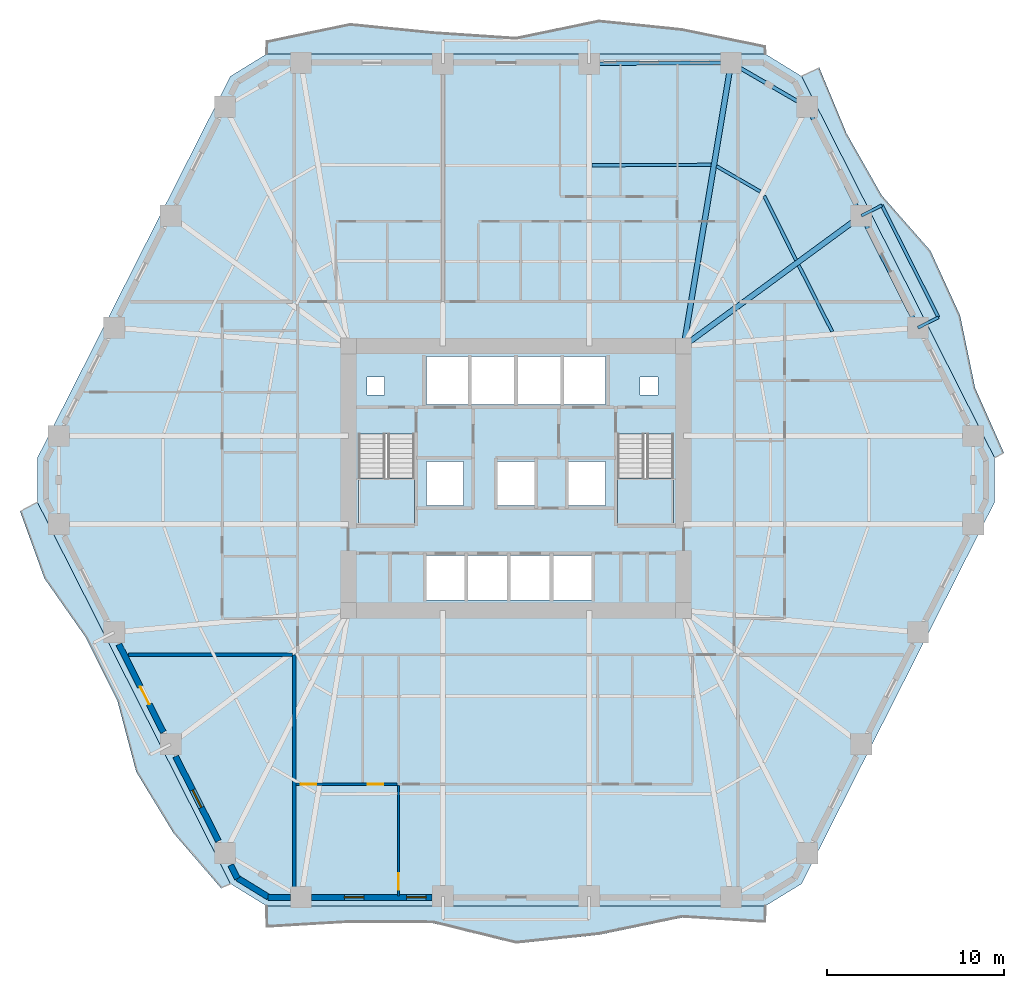
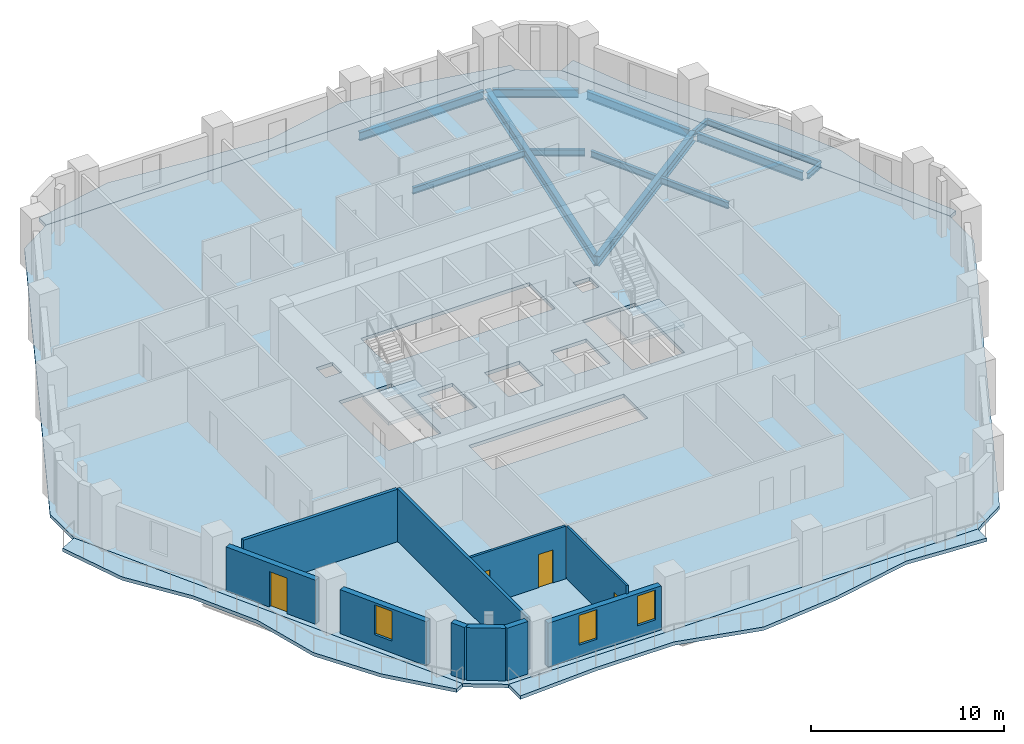
# One storey, part 3 of 11: 13 beams, 10 walls, 7 slabs, 4 doors, 3 windows, 7 openings, 2 elements without a shape of their own.
"""IFC4 building model written with IfcOpenShell, lengths in metres."""

from ifc_helpers import new_model, si_unit, direction, frame, frame_2d, origin, origin_2d, place, context, subcontext, project, spatial, polyline, rectangle, i_section, outline, extrude, material, layer, layer_set, material_profile, profile_set, type_object, element, fill, aggregate, save


model = new_model("IFC4")

# Units and contexts
model_context = context("Model", 3, precision=1e-05, world=origin(), true_north=direction((0.0, 1.0)))
body_context = subcontext(model_context, "Body", "Model", "MODEL_VIEW")
ifc_project = project(units=[si_unit("LENGTHUNIT", "METRE"), si_unit("AREAUNIT", "SQUARE_METRE"), si_unit("VOLUMEUNIT", "CUBIC_METRE"), si_unit("PLANEANGLEUNIT", "RADIAN"), si_unit("MASSUNIT", "GRAM", prefix="KILO")], contexts=[model_context])

# Site, building, storey
site_placement = place(None, origin())
site = spatial("IfcSite", under=ifc_project, at=site_placement, CompositionType="ELEMENT")
building_placement = place(site_placement, origin())
building = spatial("IfcBuilding", under=site, at=building_placement, Name="Cinnabar Lancet Tower", CompositionType="ELEMENT")
storey_placement = place(building_placement, frame((0.0, 0.0, 46.199951171875)))
storey = spatial("IfcBuildingStorey", under=building, at=storey_placement, Name="L11", CompositionType="ELEMENT", Elevation=46.199951171875)

# Beams
ifc_material_1 = material(Name="Structural steel S355", Category="steel")
ifc_material_profile_1 = material_profile(ifc_material_1, i_section(OverallWidth=0.177978515625, OverallDepth=0.406494140625, WebThickness=0.0078125, FlangeThickness=0.0126953125, FilletRadius=0.01025390625, at=origin_2d()), Name="UKB 406x178x60")
ifc_profile_set_1 = profile_set([ifc_material_profile_1], Name="Structural steel S355")
beam_type_1 = type_object("IfcBeamType", Name="STR-BM-JST-406", PredefinedType="JOIST", material=ifc_profile_set_1)
beam_1_placement = place(storey_placement, frame((50.220947265625, 34.156982421875, -0.4228515625), z_axis=(-0.450834254961, 0.89260768233, 0.0), x_axis=(-0.89260768233, -0.450834254961, 0.0)))
element("IfcBeam", 1, at=beam_1_placement, inside=storey, type_object=beam_type_1, Name="L11 Secondary Floor Joist 27", PredefinedType="JOIST", context=body_context, shape_type="SweptSolid", body=[
    extrude(i_section(OverallWidth=0.177978515625, OverallDepth=0.406494140625, WebThickness=0.0078125, FlangeThickness=0.0126953125, FilletRadius=0.01025390625, at=origin_2d()), origin(), (0.0, 0.0, 1.0), 4.203369140625),
])
beam_2_placement = place(storey_placement, frame((48.18603515625, 38.18798828125, -0.4228515625), z_axis=(-0.445738672706, 0.895163133543, 0.0), x_axis=(-0.895163133543, -0.445738672706, 0.0)))
element("IfcBeam", 2, at=beam_2_placement, inside=storey, type_object=beam_type_1, Name="L11 Secondary Floor Joist 29", PredefinedType="JOIST", context=body_context, shape_type="SweptSolid", body=[
    extrude(i_section(OverallWidth=0.177978515625, OverallDepth=0.406494140625, WebThickness=0.0078125, FlangeThickness=0.0126953125, FilletRadius=0.01025390625, at=origin_2d()), origin(), (0.0, 0.0, 1.0), 4.04052734375),
])
beam_3_placement = place(storey_placement, frame((46.1669921875, 42.052001953125, -0.4228515625), z_axis=(-0.865113631149, 0.50157592167, 0.0), x_axis=(-0.50157592167, -0.865113631149, 0.0)))
element("IfcBeam", 3, at=beam_3_placement, inside=storey, type_object=beam_type_1, Name="L11 Secondary Floor Joist 31", PredefinedType="JOIST", context=body_context, shape_type="SweptSolid", body=[
    extrude(i_section(OverallWidth=0.177978515625, OverallDepth=0.406494140625, WebThickness=0.0078125, FlangeThickness=0.0126953125, FilletRadius=0.01025390625, at=origin_2d()), origin(), (0.0, 0.0, 1.0), 2.852783203125),
])
beam_4_placement = place(storey_placement, frame((43.40087890625, 43.56396484375, -0.4228515625), z_axis=(-0.999988691118, -0.004755800274, 0.0), x_axis=(0.004755800274, -0.999988691118, 0.0)))
element("IfcBeam", 4, at=beam_4_placement, inside=storey, type_object=beam_type_1, Name="L11 Secondary Floor Joist 33", PredefinedType="JOIST", context=body_context, shape_type="SweptSolid", body=[
    extrude(i_section(OverallWidth=0.177978515625, OverallDepth=0.406494140625, WebThickness=0.0078125, FlangeThickness=0.0126953125, FilletRadius=0.01025390625, at=origin_2d()), origin(), (0.0, 0.0, 1.0), 6.724853515625),
])
ifc_material_2 = material(Name="Structural steel S355", Category="steel")
ifc_material_profile_2 = material_profile(ifc_material_2, i_section(OverallWidth=0.209228515625, OverallDepth=0.533203125, WebThickness=0.010009765625, FlangeThickness=0.015625, FilletRadius=0.0126953125, at=origin_2d()), Name="UKB 533x210x92")
ifc_profile_set_2 = profile_set([ifc_material_profile_2], Name="Structural steel S355")
beam_type_2 = type_object("IfcBeamType", Name="STR-BM-SPN-533", PredefinedType="SPANDREL", material=ifc_profile_set_2)
beam_5_placement = place(storey_placement, frame((54.93310546875, 34.60302734375, -0.487060546875), z_axis=(-0.450703143926, 0.892673891214, 0.0), x_axis=(-0.892673891214, -0.450703143926, 0.0)))
element("IfcBeam", 5, at=beam_5_placement, inside=storey, type_object=beam_type_2, Name="L11 Perimeter Spandrel 10", PredefinedType="SPANDREL", context=body_context, shape_type="SweptSolid", body=[
    extrude(i_section(OverallWidth=0.209228515625, OverallDepth=0.533203125, WebThickness=0.010009765625, FlangeThickness=0.015625, FilletRadius=0.0126953125, at=origin_2d()), origin(), (0.0, 0.0, 1.0), 6.570068359375),
])
beam_6_placement = place(storey_placement, frame((51.748046875, 40.9150390625, -0.487060546875), z_axis=(-0.445953050023, 0.89505635419, 0.0), x_axis=(-0.89505635419, -0.445953050023, 0.0)))
element("IfcBeam", 6, at=beam_6_placement, inside=storey, type_object=beam_type_2, Name="L11 Perimeter Spandrel 11", PredefinedType="SPANDREL", context=body_context, shape_type="SweptSolid", body=[
    extrude(i_section(OverallWidth=0.209228515625, OverallDepth=0.533203125, WebThickness=0.010009765625, FlangeThickness=0.015625, FilletRadius=0.0126953125, at=origin_2d()), origin(), (0.0, 0.0, 1.0), 6.35498046875),
])
beam_7_placement = place(storey_placement, frame((48.5869140625, 46.951904296875, -0.487060546875), z_axis=(-0.865147238596, 0.501517951374, 0.0), x_axis=(-0.501517951374, -0.865147238596, 0.0)))
element("IfcBeam", 7, at=beam_7_placement, inside=storey, type_object=beam_type_2, Name="L11 Perimeter Spandrel 12", PredefinedType="SPANDREL", context=body_context, shape_type="SweptSolid", body=[
    extrude(i_section(OverallWidth=0.209228515625, OverallDepth=0.533203125, WebThickness=0.010009765625, FlangeThickness=0.015625, FilletRadius=0.0126953125, at=origin_2d()), origin(), (0.0, 0.0, 1.0), 4.454833984375),
])
beam_8_placement = place(storey_placement, frame((44.26708984375, 49.30908203125, -0.487060546875), z_axis=(-0.99997856757, -0.006547090947, 0.0), x_axis=(0.006547090947, -0.99997856757, 0.0)))
element("IfcBeam", 8, at=beam_8_placement, inside=storey, type_object=beam_type_2, Name="L11 Perimeter Spandrel 13", PredefinedType="SPANDREL", context=body_context, shape_type="SweptSolid", body=[
    extrude(i_section(OverallWidth=0.209228515625, OverallDepth=0.533203125, WebThickness=0.010009765625, FlangeThickness=0.015625, FilletRadius=0.0126953125, at=origin_2d()), origin(), (0.0, 0.0, 1.0), 7.495361328125),
])
ifc_material_3 = material(Name="Structural steel S355", Category="steel")
ifc_material_profile_3 = material_profile(ifc_material_3, i_section(OverallWidth=0.30712890625, OverallDepth=0.6201171875, WebThickness=0.01416015625, FlangeThickness=0.023681640625, FilletRadius=0.0166015625, at=origin_2d()), Name="UKB 610x305x179")
ifc_profile_set_3 = profile_set([ifc_material_profile_3], Name="Structural steel S355")
beam_type_3 = type_object("IfcBeamType", Name="STR-BM-UKB610-179", PredefinedType="BEAM", material=ifc_profile_set_3)
beam_9_placement = place(storey_placement, frame((51.85888671875, 40.69091796875, -0.530029296875), z_axis=(-0.80636497312, -0.591418236213, 0.0), x_axis=(0.591418236213, -0.80636497312, 0.0)))
element("IfcBeam", 9, at=beam_9_placement, inside=storey, type_object=beam_type_3, Name="L11 Corner Collector Girder 3", PredefinedType="BEAM", context=body_context, shape_type="SweptSolid", body=[
    extrude(i_section(OverallWidth=0.30712890625, OverallDepth=0.6201171875, WebThickness=0.01416015625, FlangeThickness=0.023681640625, FilletRadius=0.0166015625, at=origin_2d()), origin(), (0.0, 0.0, 1.0), 12.412353515625),
])
beam_10_placement = place(storey_placement, frame((44.51708984375, 49.31103515625, -0.530029296875), z_axis=(-0.164809990854, -0.986325335229, 0.0), x_axis=(0.986325335229, -0.164809990854, 0.0)))
element("IfcBeam", 10, at=beam_10_placement, inside=storey, type_object=beam_type_3, Name="L11 Primary Floor Girder 13", PredefinedType="BEAM", context=body_context, shape_type="SweptSolid", body=[
    extrude(i_section(OverallWidth=0.30712890625, OverallDepth=0.6201171875, WebThickness=0.01416015625, FlangeThickness=0.023681640625, FilletRadius=0.0166015625, at=origin_2d()), origin(), (0.0, 0.0, 1.0), 16.18212890625),
])
ifc_material_4 = material(Name="Structural steel S355", Category="steel")
ifc_material_profile_4 = material_profile(ifc_material_4, i_section(OverallWidth=0.17138671875, OverallDepth=0.35498046875, WebThickness=0.00732421875, FlangeThickness=0.011474609375, FilletRadius=0.01025390625, at=origin_2d()), Name="UKB 356x171x51")
ifc_profile_set_4 = profile_set([ifc_material_profile_4], Name="Structural steel S355")
beam_type_4 = type_object("IfcBeamType", Name="STR-BM-WAV-OUT", PredefinedType="BEAM", material=ifc_profile_set_4)
for number, where, z_axis, x_axis, name in (
    (11, (55.0458984375, 34.3798828125, -0.39794921875), (0.892238560088, 0.451564338597, 0.0), (-0.451564338597, 0.892238560088, 0.0), "L11 Face 3 Balcony Outlooker A"),
    (12, (51.85888671875, 40.69091796875, -0.39794921875), (0.892238560088, 0.451564338597, 0.0), (-0.451564338597, 0.892238560088, 0.0), "L11 Face 3 Balcony Outlooker B"),
):
    element("IfcBeam", number, at=place(storey_placement, frame(where, z_axis=z_axis, x_axis=x_axis)), inside=storey, type_object=beam_type_4, Name=name, PredefinedType="BEAM", context=body_context, shape_type="SweptSolid", body=[
        extrude(i_section(OverallWidth=0.17138671875, OverallDepth=0.35498046875, WebThickness=0.00732421875, FlangeThickness=0.011474609375, FilletRadius=0.01025390625, at=origin_2d()), origin(), (0.0, 0.0, 1.0), 1.30029296875),
    ])
ifc_material_5 = material(Name="Structural steel S355", Category="steel")
ifc_material_profile_5 = material_profile(ifc_material_5, i_section(OverallWidth=0.17138671875, OverallDepth=0.35498046875, WebThickness=0.00732421875, FlangeThickness=0.011474609375, FilletRadius=0.01025390625, at=origin_2d()), Name="UKB 356x171x51")
ifc_profile_set_5 = profile_set([ifc_material_profile_5], Name="Structural steel S355")
beam_type_5 = type_object("IfcBeamType", Name="STR-BM-WAV-TRIM", PredefinedType="SPANDREL", material=ifc_profile_set_5)
beam_11_placement = place(storey_placement, frame((56.2060546875, 34.967041015625, -0.39794921875), z_axis=(-0.450773692627, 0.892638268301, 0.0), x_axis=(-0.892638268301, -0.450773692627, 0.0)))
element("IfcBeam", 13, at=beam_11_placement, inside=storey, type_object=beam_type_5, Name="L11 Face 3 Balcony Edge Trimmer", PredefinedType="SPANDREL", context=body_context, shape_type="SweptSolid", body=[
    extrude(i_section(OverallWidth=0.17138671875, OverallDepth=0.35498046875, WebThickness=0.00732421875, FlangeThickness=0.011474609375, FilletRadius=0.01025390625, at=origin_2d()), origin(), (0.0, 0.0, 1.0), 7.070068359375),
])

# Stair, slab
ifc_material_6 = material(Name="Concrete C40/50", Category="concrete")
stair_type = type_object("IfcStairType", Name="ST-CORE", PredefinedType="HALF_TURN_STAIR", material=ifc_material_6)
stair_1_placement = place(storey_placement, origin())
stair_1 = element("IfcStair", 14, at=stair_1_placement, inside=storey, type_object=stair_type, Name="L11 ST-1", PredefinedType="HALF_TURN_STAIR")
ifc_material_7 = material(Name="Concrete C40/50", Category="concrete")
ifc_layer_1 = layer(ifc_material_7, 0.199951171875)
ifc_layer_set_1 = layer_set([ifc_layer_1], Name="Concrete C40/50")
slab_type_1 = type_object("IfcSlabType", Name="LANDING-CORE", PredefinedType="LANDING", material=ifc_layer_set_1)
slab_1_placement = place(storey_placement, frame((0.0, 0.0, 1.574951171875)))
slab_1 = element("IfcSlab", 15, at=slab_1_placement, type_object=slab_type_1, Name="ST-1 landing 1", PredefinedType="LANDING", context=body_context, shape_type="SweptSolid", body=[
    extrude(outline(polyline([(23.52490234375, 25.925048828125), (23.52490234375, 23.25), (26.675048828125, 23.25), (26.675048828125, 25.925048828125), (23.52490234375, 25.925048828125)])), origin(), (0.0, 0.0, 1.0), 0.2001953125),
])
aggregate(stair_1, [slab_1])

stair_2_placement = place(storey_placement, origin())
stair_2 = element("IfcStair", 16, at=stair_2_placement, inside=storey, type_object=stair_type, Name="L11 ST-2", PredefinedType="HALF_TURN_STAIR")
slab_2_placement = place(storey_placement, frame((0.0, 0.0, 1.574951171875)))
slab_2 = element("IfcSlab", 17, at=slab_2_placement, type_object=slab_type_1, Name="ST-2 landing 1", PredefinedType="LANDING", context=body_context, shape_type="SweptSolid", body=[
    extrude(outline(polyline([(38.125, 25.925048828125), (38.125, 23.25), (41.27490234375, 23.25), (41.27490234375, 25.925048828125), (38.125, 25.925048828125)])), origin(), (0.0, 0.0, 1.0), 0.2001953125),
])
aggregate(stair_2, [slab_2])

# Slabs
ifc_material_8 = material(Name="Concrete C40/50", Category="concrete")
ifc_layer_2 = layer(ifc_material_8, 0.219970703125)
ifc_layer_set_2 = layer_set([ifc_layer_2], Name="Concrete C40/50")
slab_type_2 = type_object("IfcSlabType", Name="STR-SLB-FLR-220", PredefinedType="FLOOR", material=ifc_layer_set_2)
slab_3_placement = place(storey_placement, frame((0.0, 0.0, -0.219970703125)))
element("IfcSlab", 18, at=slab_3_placement, inside=storey, type_object=slab_type_2, Name="L11 Structural Floor Slab", PredefinedType="FLOOR", context=body_context, shape_type="SweptSolid", body=[
    extrude(outline(polyline([(16.31201171875, 3.049072265625), (18.343994140625, 1.800048828125), (46.4560546875, 1.800048828125), (48.488037109375, 3.049072265625), (59.367919921875, 24.551025390625), (59.367919921875, 27.049072265625), (48.488037109375, 48.551025390625), (46.4560546875, 49.800048828125), (18.343994140625, 49.800048828125), (16.31201171875, 48.551025390625), (5.431884765625, 27.049072265625), (5.431884765625, 24.551025390625), (16.31201171875, 3.049072265625)]), holes=[polyline([(23.52490234375, 23.25), (26.675048828125, 23.25), (26.675048828125, 28.3994140625), (23.52490234375, 28.3994140625), (23.52490234375, 23.25)]), polyline([(38.125, 23.25), (41.27490234375, 23.25), (41.27490234375, 28.3994140625), (38.125, 28.3994140625), (38.125, 23.25)]), polyline([(27.35009765625, 30.050048828125), (37.449951171875, 30.050048828125), (37.449951171875, 32.75), (27.35009765625, 32.75), (27.35009765625, 30.050048828125)]), polyline([(27.35009765625, 19.050048828125), (36.64990234375, 19.050048828125), (36.64990234375, 21.550048828125), (27.35009765625, 21.550048828125), (27.35009765625, 19.050048828125)]), polyline([(27.35009765625, 24.35009765625), (29.449951171875, 24.35009765625), (29.449951171875, 26.85009765625), (27.35009765625, 26.85009765625), (27.35009765625, 24.35009765625)]), polyline([(35.35009765625, 24.35009765625), (37.449951171875, 24.35009765625), (37.449951171875, 26.85009765625), (35.35009765625, 26.85009765625), (35.35009765625, 24.35009765625)]), polyline([(31.35009765625, 24.35009765625), (33.449951171875, 24.35009765625), (33.449951171875, 26.85009765625), (31.35009765625, 26.85009765625), (31.35009765625, 24.35009765625)]), polyline([(24.0, 30.60009765625), (25.0, 30.60009765625), (25.0, 31.60009765625), (24.0, 31.60009765625), (24.0, 30.60009765625)]), polyline([(39.39990234375, 30.60009765625), (40.39990234375, 30.60009765625), (40.39990234375, 31.60009765625), (39.39990234375, 31.60009765625), (39.39990234375, 30.60009765625)])]), origin(), (0.0, 0.0, 1.0), 0.219970703125),
])
ifc_material_9 = material(Name="Concrete C45/55", Category="concrete")
ifc_layer_3 = layer(ifc_material_9, 0.219970703125)
ifc_layer_set_3 = layer_set([ifc_layer_3], Name="Concrete C45/55")
slab_type_3 = type_object("IfcSlabType", Name="STR-SLB-WAV-220", PredefinedType="FLOOR", material=ifc_layer_set_3)
slab_4_placement = place(storey_placement, frame((0.0, 0.0, -0.219970703125)))
element("IfcSlab", 19, at=slab_4_placement, inside=storey, type_object=slab_type_3, Name="L11 Face 1 Undulating Wave Balcony Slab", PredefinedType="FLOOR", context=body_context, shape_type="SweptSolid", body=[
    extrude(outline(polyline([(18.343994140625, 1.800048828125), (18.343994140625, 0.5830078125), (23.029052734375, 0.85302734375), (27.715087890625, 0.8291015625), (32.39990234375, -0.323974609375), (37.0849609375, 0.172119140625), (41.77099609375, 1.14111328125), (46.4560546875, 0.85888671875), (46.4560546875, 1.800048828125), (18.343994140625, 1.800048828125)])), origin(), (0.0, 0.0, 1.0), 0.219970703125),
])
slab_5_placement = place(storey_placement, frame((0.0, 0.0, -0.219970703125)))
element("IfcSlab", 20, at=slab_5_placement, inside=storey, type_object=slab_type_3, Name="L11 Face 3 Undulating Wave Balcony Slab", PredefinedType="FLOOR", context=body_context, shape_type="SweptSolid", body=[
    extrude(outline(polyline([(59.367919921875, 27.049072265625), (59.89697265625, 27.31689453125), (58.26708984375, 30.992919921875), (57.423095703125, 35.06689453125), (55.75, 38.721923828125), (53.008056640625, 41.8349609375), (51.02197265625, 45.33203125), (49.47900390625, 49.052001953125), (48.488037109375, 48.551025390625), (59.367919921875, 27.049072265625)])), origin(), (0.0, 0.0, 1.0), 0.219970703125),
])
slab_6_placement = place(storey_placement, frame((0.0, 0.0, -0.219970703125)))
element("IfcSlab", 21, at=slab_6_placement, inside=storey, type_object=slab_type_3, Name="L11 Face 4 Undulating Wave Balcony Slab", PredefinedType="FLOOR", context=body_context, shape_type="SweptSolid", body=[
    extrude(outline(polyline([(46.4560546875, 49.800048828125), (46.4560546875, 50.27587890625), (41.77099609375, 51.238037109375), (37.0849609375, 51.720947265625), (32.39990234375, 50.7529296875), (27.715087890625, 51.06396484375), (23.029052734375, 51.52587890625), (18.343994140625, 50.551025390625), (18.343994140625, 49.800048828125), (46.4560546875, 49.800048828125)])), origin(), (0.0, 0.0, 1.0), 0.219970703125),
])
slab_7_placement = place(storey_placement, frame((0.0, 0.0, -0.219970703125)))
element("IfcSlab", 22, at=slab_7_placement, inside=storey, type_object=slab_type_3, Name="L11 Face 6 Undulating Wave Balcony Slab", PredefinedType="FLOOR", context=body_context, shape_type="SweptSolid", body=[
    extrude(outline(polyline([(5.431884765625, 24.551025390625), (4.450927734375, 24.053955078125), (5.8291015625, 20.2509765625), (8.159912109375, 16.928955078125), (9.947998046875, 13.33203125), (10.998046875, 9.362060546875), (13.091064453125, 5.919921875), (15.79296875, 2.785888671875), (16.31201171875, 3.049072265625), (5.431884765625, 24.551025390625)])), origin(), (0.0, 0.0, 1.0), 0.219970703125),
])

# Walls
ifc_material_10 = material(Name="Fire-rated twin-frame acoustic drywall", Category="gypsum")
ifc_layer_4 = layer(ifc_material_10, 0.179931640625)
ifc_layer_set_4 = layer_set([ifc_layer_4], Name="Fire-rated twin-frame acoustic drywall")
wall_type_1 = type_object("IfcWallType", Name="ARC-WL-PARTY-180", PredefinedType="PARTITIONING", material=ifc_layer_set_4)
wall_1_placement = place(storey_placement, frame((19.89990234375, 2.455078125, 0.0), z_axis=(0.0, 0.0, 1.0), x_axis=(0.0, 1.0, 0.0)))
element("IfcWall", 23, at=wall_1_placement, inside=storey, type_object=wall_type_1, Name="PW-L11-SPTY-199", PredefinedType="PARTITIONING", context=body_context, shape_type="SweptSolid", body=[
    extrude(rectangle(XDim=13.494873046875, YDim=0.179931640625, at=frame_2d((6.74755859375, 0.0))), origin(), (0.0, 0.0, 1.0), 3.330078125),
])
wall_2_placement = place(storey_placement, frame((10.56396484375, 15.949951171875, 0.0), z_axis=(0.0, 0.0, 1.0), x_axis=(1.0, 0.0, 0.0)))
element("IfcWall", 24, at=wall_2_placement, inside=storey, type_object=wall_type_1, Name="PW-L11-WSB", PredefinedType="PARTITIONING", context=body_context, shape_type="SweptSolid", body=[
    extrude(rectangle(XDim=9.240966796875, YDim=0.179931640625, at=frame_2d((4.62060546875, 0.0))), origin(), (0.0, 0.0, 1.0), 3.330078125),
])

# Wall, opening, door
ifc_material_11 = material(Name="Gypsum plasterboard stud partition", Category="gypsum")
ifc_layer_5 = layer(ifc_material_11, 0.125)
ifc_layer_set_5 = layer_set([ifc_layer_5], Name="Gypsum plasterboard stud partition")
wall_type_2 = type_object("IfcWallType", Name="ARC-WL-UNIT-125", PredefinedType="PARTITIONING", material=ifc_layer_set_5)
wall_3_placement = place(storey_placement, frame((25.780029296875, 2.364990234375, 0.0), z_axis=(0.0, 0.0, 1.0), x_axis=(0.0, 1.0, 0.0)))
wall_3 = element("IfcWall", 25, at=wall_3_placement, inside=storey, type_object=wall_type_2, Name="UW-L11-S01-MBW", PredefinedType="PARTITIONING", context=body_context, shape_type="SweptSolid", body=[
    extrude(rectangle(XDim=6.222900390625, YDim=0.125, at=frame_2d((3.111328125, 0.0))), origin(), (0.0, 0.0, 1.0), 3.330078125),
])
opening_1_placement = place(wall_3_placement, frame((0.35009765625, 0.0, 0.0)))
opening_1 = element("IfcOpeningElement", 26, at=opening_1_placement, cuts=wall_3, Name="Opening RD-01", PredefinedType="OPENING", context=body_context, shape_type="SweptSolid", body=[
    extrude(rectangle(XDim=0.919921875, YDim=2.14990234375, at=frame_2d((0.4599609375, 1.074951171875))), frame((0.0, 0.072509765625, 0.0), z_axis=(0.0, -1.0, 0.0), x_axis=(1.0, 0.0, 0.0)), (0.0, 0.0, 1.0), 0.14501953125),
])
ifc_material_12 = material(Name="Engineered timber bedroom door", Category="wood")
door_type_1 = type_object("IfcDoorType", Name="ARC-DR-ROOM", OperationType="NOTDEFINED", PredefinedType="DOOR", material=ifc_material_12)
door_1_placement = place(opening_1_placement, origin())
door_1 = element("IfcDoor", 27, at=door_1_placement, inside=storey, type_object=door_type_1, Name="DR-L11-S01-MBD", OperationType="SINGLE_SWING_LEFT", OverallHeight=2.14990234375, OverallWidth=0.919921875, PredefinedType="DOOR", context=body_context, shape_type="SweptSolid", body=[
    extrude(rectangle(XDim=0.919921875, YDim=2.14990234375, at=frame_2d((0.4599609375, 1.074951171875))), frame((0.0, 0.02490234375, 0.0), z_axis=(0.0, -1.0, 0.0), x_axis=(1.0, 0.0, 0.0)), (0.0, 0.0, 1.0), 0.050048828125),
])
fill(opening_1, door_1)

# Wall, openings, doors
ifc_material_13 = material(Name="Moisture-resistant cement-board plumbing wall", Category="masonry")
ifc_layer_6 = layer(ifc_material_13, 0.139892578125)
ifc_layer_set_6 = layer_set([ifc_layer_6], Name="Moisture-resistant cement-board plumbing wall")
wall_type_3 = type_object("IfcWallType", Name="ARC-WL-WET-140", PredefinedType="PLUMBINGWALL", material=ifc_layer_set_6)
wall_4_placement = place(storey_placement, frame((19.9951171875, 8.6630859375, 0.0), z_axis=(0.0, 0.0, 1.0), x_axis=(1.0, 0.0, 0.0)))
wall_4 = element("IfcWall", 28, at=wall_4_placement, inside=storey, type_object=wall_type_3, Name="UW-L11-S01-SPM", PredefinedType="PLUMBINGWALL", context=body_context, shape_type="SweptSolid", body=[
    extrude(rectangle(XDim=5.7099609375, YDim=0.139892578125, at=frame_2d((2.85498046875, 0.0))), origin(), (0.0, 0.0, 1.0), 3.330078125),
])
opening_2_placement = place(wall_4_placement, frame((0.280029296875, 0.0, 0.0)))
opening_2 = element("IfcOpeningElement", 29, at=opening_2_placement, cuts=wall_4, Name="Opening RD-02", PredefinedType="OPENING", context=body_context, shape_type="SweptSolid", body=[
    extrude(rectangle(XDim=0.8798828125, YDim=2.14990234375, at=frame_2d((0.43994140625, 1.074951171875))), frame((0.0, 0.079833984375, 0.0), z_axis=(0.0, -1.0, 0.0), x_axis=(1.0, 0.0, 0.0)), (0.0, 0.0, 1.0), 0.159912109375),
])
opening_3_placement = place(wall_4_placement, frame((4.053955078125, 0.0, 0.0)))
opening_3 = element("IfcOpeningElement", 30, at=opening_3_placement, cuts=wall_4, Name="Opening BD-01", PredefinedType="OPENING", context=body_context, shape_type="SweptSolid", body=[
    extrude(rectangle(XDim=0.860107421875, YDim=2.10009765625, at=frame_2d((0.43017578125, 1.050048828125))), frame((0.0, 0.079833984375, 0.0), z_axis=(0.0, -1.0, 0.0), x_axis=(1.0, 0.0, 0.0)), (0.0, 0.0, 1.0), 0.159912109375),
])
ifc_material_14 = material(Name="Moisture-resistant timber bathroom door", Category="wood")
door_type_2 = type_object("IfcDoorType", Name="ARC-DR-BATH", OperationType="NOTDEFINED", PredefinedType="DOOR", material=ifc_material_14)
door_2_placement = place(opening_3_placement, origin())
door_2 = element("IfcDoor", 31, at=door_2_placement, inside=storey, type_object=door_type_2, Name="DR-L11-S01-ENS", OperationType="SINGLE_SWING_LEFT", OverallHeight=2.10009765625, OverallWidth=0.860107421875, PredefinedType="DOOR", context=body_context, shape_type="SweptSolid", body=[
    extrude(rectangle(XDim=0.860107421875, YDim=2.10009765625, at=frame_2d((0.43017578125, 1.050048828125))), frame((0.0, 0.02490234375, 0.0), z_axis=(0.0, -1.0, 0.0), x_axis=(1.0, 0.0, 0.0)), (0.0, 0.0, 1.0), 0.050048828125),
])
fill(opening_3, door_2)
ifc_material_15 = material(Name="Engineered timber study door", Category="wood")
door_type_3 = type_object("IfcDoorType", Name="ARC-DR-STUDY", OperationType="NOTDEFINED", PredefinedType="DOOR", material=ifc_material_15)
door_3_placement = place(opening_2_placement, origin())
door_3 = element("IfcDoor", 32, at=door_3_placement, inside=storey, type_object=door_type_3, Name="DR-L11-S01-ENS-WDR", OperationType="SINGLE_SWING_RIGHT", OverallHeight=2.14990234375, OverallWidth=0.8798828125, PredefinedType="DOOR", context=body_context, shape_type="SweptSolid", body=[
    extrude(rectangle(XDim=0.8798828125, YDim=2.14990234375, at=frame_2d((0.43994140625, 1.074951171875))), frame((0.0, 0.02490234375, 0.0), z_axis=(0.0, -1.0, 0.0), x_axis=(1.0, 0.0, 0.0)), (0.0, 0.0, 1.0), 0.050048828125),
])
fill(opening_2, door_3)

# Walls
ifc_material_16 = material(Name="Cinnabar red clay brick", Category="masonry")
ifc_layer_7 = layer(ifc_material_16, 0.340087890625)
ifc_layer_set_7 = layer_set([ifc_layer_7], Name="Cinnabar red clay brick")
wall_type_4 = type_object("IfcWallType", Name="ENV-WL-BRK-RED-340", PredefinedType="STANDARD", material=ifc_layer_set_7)
wall_5_placement = place(storey_placement, frame((16.719970703125, 3.362060546875, 0.0), z_axis=(0.0, 0.0, 1.0), x_axis=(0.851816122478, -0.523840904748, 0.0)))
element("IfcWall", 33, at=wall_5_placement, inside=storey, type_object=wall_type_4, Name="L11 Chamfered Corner Brick Pier 1.1", PredefinedType="STANDARD", context=body_context, shape_type="SweptSolid", body=[
    extrude(rectangle(XDim=2.01806640625, YDim=0.340087890625, at=frame_2d((1.009033203125, 0.0))), origin(), (0.0, 0.0, 1.0), 3.330078125),
])
wall_6_placement = place(storey_placement, frame((18.43408203125, 2.280029296875, 0.0), z_axis=(0.0, 0.0, 1.0), x_axis=(1.0, 0.0, 0.0)))
element("IfcWall", 34, at=wall_6_placement, inside=storey, type_object=wall_type_4, Name="L11 Face 1 Masonry Bay Wall 1", PredefinedType="STANDARD", context=body_context, shape_type="SweptSolid", body=[
    extrude(rectangle(XDim=1.244873046875, YDim=0.340087890625, at=frame_2d((0.62255859375, 0.0))), origin(), (0.0, 0.0, 1.0), 3.330078125),
])

# Wall, openings, windows
wall_7_placement = place(storey_placement, frame((20.886962890625, 2.280029296875, 0.0), z_axis=(0.0, 0.0, 1.0), x_axis=(1.0, 0.0, 0.0)))
wall_7 = element("IfcWall", 35, at=wall_7_placement, inside=storey, type_object=wall_type_4, Name="L11 Face 1 Masonry Bay Wall 2", PredefinedType="STANDARD", context=body_context, shape_type="SweptSolid", body=[
    extrude(rectangle(XDim=6.787109375, YDim=0.340087890625, at=frame_2d((3.3935546875, 0.0))), origin(), (0.0, 0.0, 1.0), 2.787109375),
])
opening_4_placement = place(wall_7_placement, frame((1.840087890625, 0.0, 0.75)))
opening_4 = element("IfcOpeningElement", 36, at=opening_4_placement, cuts=wall_7, Name="Opening WN-04", PredefinedType="OPENING", context=body_context, shape_type="SweptSolid", body=[
    extrude(rectangle(XDim=1.10009765625, YDim=1.886962890625, at=frame_2d((0.550048828125, 0.943359375))), frame((0.0, 0.179931640625, 0.0), z_axis=(0.0, -1.0, 0.0), x_axis=(1.0, 0.0, 0.0)), (0.0, 0.0, 1.0), 0.360107421875),
])
opening_5_placement = place(wall_7_placement, frame((5.345947265625, 0.0, 0.75)))
opening_5 = element("IfcOpeningElement", 37, at=opening_5_placement, cuts=wall_7, Name="Opening WN-04", PredefinedType="OPENING", context=body_context, shape_type="SweptSolid", body=[
    extrude(rectangle(XDim=1.10009765625, YDim=1.886962890625, at=frame_2d((0.550048828125, 0.943359375))), frame((0.0, 0.179931640625, 0.0), z_axis=(0.0, -1.0, 0.0), x_axis=(1.0, 0.0, 0.0)), (0.0, 0.0, 1.0), 0.360107421875),
])
ifc_material_17 = material(Name="Thermally broken bronze-anodized aluminium tall lancet window", Category="aluminium")
window_type = type_object("IfcWindowType", Name="ENV-WN-LANCET-1100", PartitioningType="SINGLE_PANEL", PredefinedType="WINDOW", material=ifc_material_17)
window_1_placement = place(opening_4_placement, origin())
window_1 = element("IfcWindow", 38, at=window_1_placement, inside=storey, type_object=window_type, Name="L11 Face 1 Gothic Lancet Window 2", OverallHeight=1.886962890625, OverallWidth=1.10009765625, PartitioningType="SINGLE_PANEL", PredefinedType="WINDOW", context=body_context, shape_type="SweptSolid", body=[
    extrude(rectangle(XDim=1.10009765625, YDim=1.886962890625, at=frame_2d((0.550048828125, 0.943359375))), frame((0.0, 0.030029296875, 0.0), z_axis=(0.0, -1.0, 0.0), x_axis=(1.0, 0.0, 0.0)), (0.0, 0.0, 1.0), 0.06005859375),
])
fill(opening_4, window_1)
window_2_placement = place(opening_5_placement, origin())
window_2 = element("IfcWindow", 39, at=window_2_placement, inside=storey, type_object=window_type, Name="L11 Split-Bay Gothic Lancet Window 20", OverallHeight=1.886962890625, OverallWidth=1.10009765625, PartitioningType="SINGLE_PANEL", PredefinedType="WINDOW", context=body_context, shape_type="SweptSolid", body=[
    extrude(rectangle(XDim=1.10009765625, YDim=1.886962890625, at=frame_2d((0.550048828125, 0.943359375))), frame((0.0, 0.030029296875, 0.0), z_axis=(0.0, -1.0, 0.0), x_axis=(1.0, 0.0, 0.0)), (0.0, 0.0, 1.0), 0.06005859375),
])
fill(opening_5, window_2)

# Wall, opening, door
wall_8_placement = place(storey_placement, frame((10.02392578125, 16.5390625, 0.0), z_axis=(0.0, 0.0, 1.0), x_axis=(0.451627137896, -0.892206774417, 0.0)))
wall_8 = element("IfcWall", 40, at=wall_8_placement, inside=storey, type_object=wall_type_4, Name="L11 Face 6 Masonry Bay Wall 3", PredefinedType="STANDARD", context=body_context, shape_type="SweptSolid", body=[
    extrude(rectangle(XDim=5.546875, YDim=0.340087890625, at=frame_2d((2.7734375, 0.0))), origin(), (0.0, 0.0, 1.0), 2.787109375),
])
opening_6_placement = place(wall_8_placement, frame((2.678955078125, 0.0, 0.0)))
opening_6 = element("IfcOpeningElement", 41, at=opening_6_placement, cuts=wall_8, Name="Opening TD-01", PredefinedType="OPENING", context=body_context, shape_type="SweptSolid", body=[
    extrude(rectangle(XDim=1.10009765625, YDim=2.25, at=frame_2d((0.550048828125, 1.125))), frame((0.0, 0.179931640625, 0.0), z_axis=(0.0, -1.0, 0.0), x_axis=(1.0, 0.0, 0.0)), (0.0, 0.0, 1.0), 0.360107421875),
])
ifc_material_18 = material(Name="Thermally broken low-E glazed balcony terrace door", Category="wood")
door_type_4 = type_object("IfcDoorType", Name="ARC-DR-BALC", OperationType="NOTDEFINED", PredefinedType="DOOR", material=ifc_material_18)
door_4_placement = place(opening_6_placement, origin())
door_4 = element("IfcDoor", 42, at=door_4_placement, inside=storey, type_object=door_type_4, Name="L11 Face 6 Glazed Terrace Door", OperationType="SINGLE_SWING_LEFT", OverallHeight=2.25, OverallWidth=1.10009765625, PredefinedType="DOOR", context=body_context, shape_type="SweptSolid", body=[
    extrude(rectangle(XDim=1.10009765625, YDim=2.25, at=frame_2d((0.550048828125, 1.125))), frame((0.0, 0.02490234375, 0.0), z_axis=(0.0, -1.0, 0.0), x_axis=(1.0, 0.0, 0.0)), (0.0, 0.0, 1.0), 0.050048828125),
])
fill(opening_6, door_4)

# Wall, opening, window
wall_9_placement = place(storey_placement, frame((13.217041015625, 10.22802734375, 0.0), z_axis=(0.0, 0.0, 1.0), x_axis=(0.451697561555, -0.892171123095, 0.0)))
wall_9 = element("IfcWall", 43, at=wall_9_placement, inside=storey, type_object=wall_type_4, Name="L11 Face 6 Masonry Bay Wall 4", PredefinedType="STANDARD", context=body_context, shape_type="SweptSolid", body=[
    extrude(rectangle(XDim=5.350830078125, YDim=0.340087890625, at=frame_2d((2.67529296875, 0.0))), origin(), (0.0, 0.0, 1.0), 2.787109375),
])
opening_7_placement = place(wall_9_placement, frame((2.125, 0.0, 0.75)))
opening_7 = element("IfcOpeningElement", 44, at=opening_7_placement, cuts=wall_9, Name="Opening WN-04", PredefinedType="OPENING", context=body_context, shape_type="SweptSolid", body=[
    extrude(rectangle(XDim=1.10009765625, YDim=1.886962890625, at=frame_2d((0.550048828125, 0.943359375))), frame((0.0, 0.179931640625, 0.0), z_axis=(0.0, -1.0, 0.0), x_axis=(1.0, 0.0, 0.0)), (0.0, 0.0, 1.0), 0.360107421875),
])
window_3_placement = place(opening_7_placement, origin())
window_3 = element("IfcWindow", 45, at=window_3_placement, inside=storey, type_object=window_type, Name="L11 Face 6 Gothic Lancet Window 4", OverallHeight=1.886962890625, OverallWidth=1.10009765625, PartitioningType="SINGLE_PANEL", PredefinedType="WINDOW", context=body_context, shape_type="SweptSolid", body=[
    extrude(rectangle(XDim=1.10009765625, YDim=1.886962890625, at=frame_2d((0.550048828125, 0.943359375))), frame((0.0, 0.030029296875, 0.0), z_axis=(0.0, -1.0, 0.0), x_axis=(1.0, 0.0, 0.0)), (0.0, 0.0, 1.0), 0.06005859375),
])
fill(opening_7, window_3)

# Wall
wall_10_placement = place(storey_placement, frame((16.322021484375, 4.092041015625, 0.0), z_axis=(0.0, 0.0, 1.0), x_axis=(0.45187807258, -0.892079709175, 0.0)))
element("IfcWall", 46, at=wall_10_placement, inside=storey, type_object=wall_type_4, Name="L11 Face 6 Masonry Bay Wall 5", PredefinedType="STANDARD", context=body_context, shape_type="SweptSolid", body=[
    extrude(rectangle(XDim=0.83642578125, YDim=0.340087890625, at=frame_2d((0.418212890625, 0.0))), origin(), (0.0, 0.0, 1.0), 3.330078125),
])

save(model, "model.ifc")
